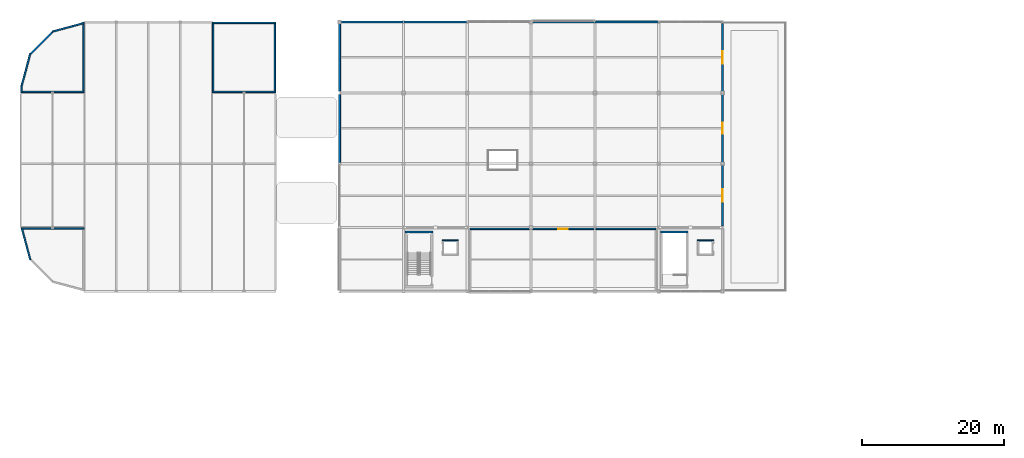
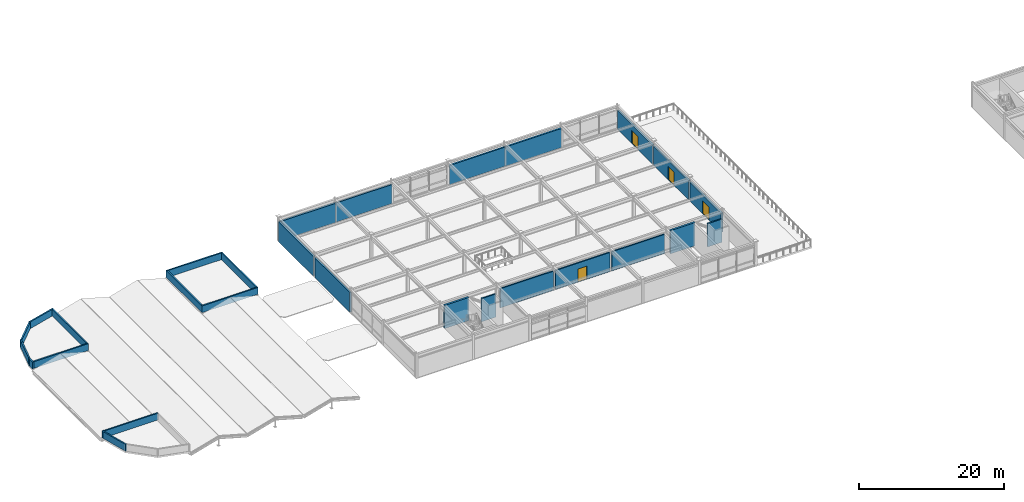
# One storey, part 30 of 40: 28 walls, 4 doors, 4 openings.
"""IFC4 building model written with IfcOpenShell, lengths in metres."""

from ifc_helpers import new_model, si_unit, direction, frame, frame_2d, origin, place, context, subcontext, project, spatial, rectangle, extrude, material, layer, layer_set, type_object, element, fill, save


model = new_model("IFC4")

# Units and contexts
model_context = context("Model", 3, precision=1e-05, world=origin(), true_north=direction((0.0, 1.0)))
body_context = subcontext(model_context, "Body", "Model", "MODEL_VIEW")
ifc_project = project(units=[si_unit("LENGTHUNIT", "METRE"), si_unit("AREAUNIT", "SQUARE_METRE"), si_unit("VOLUMEUNIT", "CUBIC_METRE"), si_unit("PLANEANGLEUNIT", "RADIAN"), si_unit("MASSUNIT", "GRAM", prefix="KILO")], contexts=[model_context])

# Site, building, storey
site_placement = place(None, origin())
site = spatial("IfcSite", under=ifc_project, at=site_placement, CompositionType="ELEMENT")
building_placement = place(site_placement, origin())
building = spatial("IfcBuilding", under=site, at=building_placement, Name="Suzunagisa Mobility Hub", CompositionType="ELEMENT")
storey_placement = place(building_placement, frame((0.0, 0.0, 21.89990234375)))
storey = spatial("IfcBuildingStorey", under=building, at=storey_placement, Name="L05", CompositionType="ELEMENT", Elevation=21.89990234375)

# Walls
ifc_material_1 = material(Name="Porcelain-Faced Insulated Concrete C30/37 Wall", Category="concrete")
ifc_layer_1 = layer(ifc_material_1, 0.260009765625)
ifc_layer_set_1 = layer_set([ifc_layer_1], Name="Porcelain-Faced Insulated Concrete C30/37 Wall")
wall_type_1 = type_object("IfcWallType", Name="Exterior Wall EW-03 260mm", PredefinedType="SOLIDWALL", material=ifc_layer_set_1)
wall_1_placement = place(storey_placement, frame((80.99560546875, 118.0, 0.0), z_axis=(0.0, 0.0, 1.0), x_axis=(-1.0, 0.0, 0.0)))
element("IfcWall", 1, at=wall_1_placement, inside=storey, type_object=wall_type_1, Name="L05 Exterior Facade Wall EW-250", PredefinedType="SOLIDWALL", context=body_context, shape_type="SweptSolid", body=[
    extrude(rectangle(XDim=8.820556640625, YDim=0.260009765625, at=frame_2d((4.41015625, 0.0))), origin(), (0.0, 0.0, 1.0), 3.22021484375),
])
wall_2_placement = place(storey_placement, frame((45.0, 107.804931640625, 0.0), z_axis=(0.0, 0.0, 1.0), x_axis=(0.0, -1.0, 0.0)))
element("IfcWall", 2, at=wall_2_placement, inside=storey, type_object=wall_type_1, Name="L05 Exterior Facade Wall EW-254", PredefinedType="SOLIDWALL", context=body_context, shape_type="SweptSolid", body=[
    extrude(rectangle(XDim=9.6298828125, YDim=0.260009765625, at=frame_2d((4.81494140625, 0.0))), origin(), (0.0, 0.0, 1.0), 3.33203125),
])
ifc_material_2 = material(Name="Lightweight Insulated Autoclaved Concrete C30/37 Wall", Category="concrete")
ifc_layer_2 = layer(ifc_material_2, 0.239990234375)
ifc_layer_set_2 = layer_set([ifc_layer_2], Name="Lightweight Insulated Autoclaved Concrete C30/37 Wall")
wall_type_2 = type_object("IfcWallType", Name="Exterior Wall EW-04 240mm", PredefinedType="SOLIDWALL", material=ifc_layer_set_2)
wall_3_placement = place(storey_placement, frame((62.99560546875, 118.0, 0.0), z_axis=(0.0, 0.0, 1.0), x_axis=(-1.0, 0.0, 0.0)))
element("IfcWall", 3, at=wall_3_placement, inside=storey, type_object=wall_type_2, Name="L05 Exterior Facade Wall EW-251", PredefinedType="SOLIDWALL", context=body_context, shape_type="SweptSolid", body=[
    extrude(rectangle(XDim=8.9912109375, YDim=0.239990234375, at=frame_2d((4.49560546875, 0.0))), origin(), (0.0, 0.0, 1.0), 3.22021484375),
])
ifc_material_3 = material(Name="Concrete C30/37", Category="concrete")
ifc_layer_3 = layer(ifc_material_3, 0.219970703125)
ifc_layer_set_3 = layer_set([ifc_layer_3], Name="Concrete C30/37")
wall_type_3 = type_object("IfcWallType", Name="Exterior Wall EW-05 220mm", PredefinedType="PARAPET", material=ifc_layer_set_3)
wall_4_placement = place(storey_placement, frame((1.35986328125, 84.46630859375, 0.18017578125), z_axis=(0.0, 0.0, 1.0), x_axis=(-0.258826891896, 0.965923723713, 0.0)))
element("IfcWall", 4, at=wall_4_placement, inside=storey, type_object=wall_type_3, Name="L05 Roof Setback Parapet PR-489", PredefinedType="PARAPET", context=body_context, shape_type="SweptSolid", body=[
    extrude(rectangle(XDim=4.65869140625, YDim=0.219970703125, at=frame_2d((2.329345703125, 0.0))), origin(), (0.0, 0.0, 1.0), 1.139892578125),
])
wall_5_placement = place(storey_placement, frame((0.072509765625, 88.860107421875, 0.18017578125), z_axis=(0.0, 0.0, 1.0), x_axis=(1.0, 0.0, 0.0)))
element("IfcWall", 5, at=wall_5_placement, inside=storey, type_object=wall_type_3, Name="L05 Roof Setback Parapet PR-490", PredefinedType="PARAPET", context=body_context, shape_type="SweptSolid", body=[
    extrude(rectangle(XDim=8.8974609375, YDim=0.219970703125, at=frame_2d((4.44873046875, 0.0))), origin(), (0.0, 0.0, 1.0), 1.139892578125),
])
wall_6_placement = place(storey_placement, frame((0.111572265625, 108.875244140625, 0.18017578125), z_axis=(0.0, 0.0, 1.0), x_axis=(0.258831394107, 0.965922517299, 0.0)))
element("IfcWall", 6, at=wall_6_placement, inside=storey, type_object=wall_type_3, Name="L05 Roof Setback Parapet PR-492", PredefinedType="PARAPET", context=body_context, shape_type="SweptSolid", body=[
    extrude(rectangle(XDim=4.82275390625, YDim=0.219970703125, at=frame_2d((2.411376953125, 0.0))), origin(), (0.0, 0.0, 1.0), 1.139892578125),
])
wall_7_placement = place(storey_placement, frame((1.25341796875, 113.349609375, 0.18017578125), z_axis=(0.0, 0.0, 1.0), x_axis=(0.707106781187, 0.707106781187, 0.0)))
element("IfcWall", 7, at=wall_7_placement, inside=storey, type_object=wall_type_3, Name="L05 Roof Setback Parapet PR-493", PredefinedType="PARAPET", context=body_context, shape_type="SweptSolid", body=[
    extrude(rectangle(XDim=4.803955078125, YDim=0.219970703125, at=frame_2d((2.40185546875, 0.0))), origin(), (0.0, 0.0, 1.0), 1.139892578125),
])
wall_8_placement = place(storey_placement, frame((4.46630859375, 116.64013671875, 0.18017578125), z_axis=(0.0, 0.0, 1.0), x_axis=(0.965923723713, 0.258826891896, 0.0)))
element("IfcWall", 8, at=wall_8_placement, inside=storey, type_object=wall_type_3, Name="L05 Roof Setback Parapet PR-494", PredefinedType="PARAPET", context=body_context, shape_type="SweptSolid", body=[
    extrude(rectangle(XDim=4.65869140625, YDim=0.219970703125, at=frame_2d((2.329345703125, 0.0))), origin(), (0.0, 0.0, 1.0), 1.139892578125),
])
wall_9_placement = place(storey_placement, frame((8.860107421875, 117.927490234375, 0.18017578125), z_axis=(0.0, 0.0, 1.0), x_axis=(0.0, -1.0, 0.0)))
element("IfcWall", 9, at=wall_9_placement, inside=storey, type_object=wall_type_3, Name="L05 Roof Setback Parapet PR-495", PredefinedType="PARAPET", context=body_context, shape_type="SweptSolid", body=[
    extrude(rectangle(XDim=9.8974609375, YDim=0.219970703125, at=frame_2d((4.94873046875, 0.0))), origin(), (0.0, 0.0, 1.0), 1.139892578125),
])
wall_10_placement = place(storey_placement, frame((8.969970703125, 108.139892578125, 0.18017578125), z_axis=(0.0, 0.0, 1.0), x_axis=(-1.0, 0.0, 0.0)))
element("IfcWall", 10, at=wall_10_placement, inside=storey, type_object=wall_type_3, Name="L05 Roof Setback Parapet PR-496", PredefinedType="PARAPET", context=body_context, shape_type="SweptSolid", body=[
    extrude(rectangle(XDim=8.93994140625, YDim=0.219970703125, at=frame_2d((4.469970703125, 0.0))), origin(), (0.0, 0.0, 1.0), 1.139892578125),
])
wall_11_placement = place(storey_placement, frame((0.139892578125, 108.030029296875, 0.18017578125), z_axis=(0.0, 0.0, 1.0), x_axis=(0.0, 1.0, 0.0)))
element("IfcWall", 11, at=wall_11_placement, inside=storey, type_object=wall_type_3, Name="L05 Roof Setback Parapet PR-497", PredefinedType="PARAPET", context=body_context, shape_type="SweptSolid", body=[
    extrude(rectangle(XDim=1.0615234375, YDim=0.219970703125, at=frame_2d((0.53076171875, 0.0))), origin(), (0.0, 0.0, 1.0), 1.139892578125),
])
wall_12_placement = place(storey_placement, frame((35.860107421875, 117.969970703125, 0.18017578125), z_axis=(0.0, 0.0, 1.0), x_axis=(0.0, -1.0, 0.0)))
element("IfcWall", 12, at=wall_12_placement, inside=storey, type_object=wall_type_3, Name="L05 Roof Setback Parapet PR-498", PredefinedType="PARAPET", context=body_context, shape_type="SweptSolid", body=[
    extrude(rectangle(XDim=9.93994140625, YDim=0.219970703125, at=frame_2d((4.969970703125, 0.0))), origin(), (0.0, 0.0, 1.0), 1.139892578125),
])
wall_13_placement = place(storey_placement, frame((35.969970703125, 108.139892578125, 0.18017578125), z_axis=(0.0, 0.0, 1.0), x_axis=(-1.0, 0.0, 0.0)))
element("IfcWall", 13, at=wall_13_placement, inside=storey, type_object=wall_type_3, Name="L05 Roof Setback Parapet PR-499", PredefinedType="PARAPET", context=body_context, shape_type="SweptSolid", body=[
    extrude(rectangle(XDim=8.93994140625, YDim=0.219970703125, at=frame_2d((4.469970703125, 0.0))), origin(), (0.0, 0.0, 1.0), 1.139892578125),
])
wall_14_placement = place(storey_placement, frame((27.139892578125, 108.030029296875, 0.18017578125), z_axis=(0.0, 0.0, 1.0), x_axis=(0.0, 1.0, 0.0)))
element("IfcWall", 14, at=wall_14_placement, inside=storey, type_object=wall_type_3, Name="L05 Roof Setback Parapet PR-500", PredefinedType="PARAPET", context=body_context, shape_type="SweptSolid", body=[
    extrude(rectangle(XDim=9.93994140625, YDim=0.219970703125, at=frame_2d((4.969970703125, 0.0))), origin(), (0.0, 0.0, 1.0), 1.139892578125),
])
wall_15_placement = place(storey_placement, frame((27.030029296875, 117.860107421875, 0.18017578125), z_axis=(0.0, 0.0, 1.0), x_axis=(1.0, 0.0, 0.0)))
element("IfcWall", 15, at=wall_15_placement, inside=storey, type_object=wall_type_3, Name="L05 Roof Setback Parapet PR-501", PredefinedType="PARAPET", context=body_context, shape_type="SweptSolid", body=[
    extrude(rectangle(XDim=8.93994140625, YDim=0.219970703125, at=frame_2d((4.469970703125, 0.0))), origin(), (0.0, 0.0, 1.0), 1.139892578125),
])

# Wall, opening, door
ifc_layer_4 = layer(ifc_material_1, 0.280029296875)
ifc_layer_set_4 = layer_set([ifc_layer_4], Name="Porcelain-Faced Insulated Concrete C30/37 Wall")
wall_type_4 = type_object("IfcWallType", Name="Exterior Wall EW-08 280mm", PredefinedType="SOLIDWALL", material=ifc_layer_set_4)
wall_16_placement = place(storey_placement, frame((99.0, 89.195068359375, 0.0), z_axis=(0.0, 0.0, 1.0), x_axis=(0.0, 1.0, 0.0)))
wall_16 = element("IfcWall", 16, at=wall_16_placement, inside=storey, type_object=wall_type_4, Name="L05 Terrace Access Wall 246", PredefinedType="SOLIDWALL", context=body_context, shape_type="SweptSolid", body=[
    extrude(rectangle(XDim=8.6298828125, YDim=0.280029296875, at=frame_2d((4.31494140625, 0.0))), origin(), (0.0, 0.0, 1.0), 3.22021484375),
])
opening_1_placement = place(wall_16_placement, frame((5.215087890625, 0.0, 0.0), z_axis=(0.0, 0.0, 1.0), x_axis=(-1.0, 0.0, 0.0)))
opening_1 = element("IfcOpeningElement", 17, at=opening_1_placement, cuts=wall_16, Name="Opening ED-12", PredefinedType="OPENING", context=body_context, shape_type="SweptSolid", body=[
    extrude(rectangle(XDim=1.800048828125, YDim=2.199951171875, at=frame_2d((0.89990234375, 1.10009765625))), frame((0.0, 0.15087890625, 0.0), z_axis=(0.0, -1.0, 0.0), x_axis=(1.0, 0.0, 0.0)), (0.0, 0.0, 1.0), 0.302001953125),
])
ifc_material_4 = material(Name="Anodized Aluminum and Tempered Safety Glass", Category="aluminium")
door_type_1 = type_object("IfcDoorType", Name="Exterior Glazed Aluminum Door ED-12 1800x2200", OperationType="DOUBLE_DOOR_SINGLE_SWING", PredefinedType="DOOR", material=ifc_material_4)
door_1_placement = place(opening_1_placement, origin())
door_1 = element("IfcDoor", 18, at=door_1_placement, inside=storey, type_object=door_type_1, Name="L05 Roof Garden Terrace Access Door TD-24", OperationType="SINGLE_SWING_LEFT", OverallHeight=2.199951171875, OverallWidth=1.800048828125, PredefinedType="DOOR", context=body_context, shape_type="SweptSolid", body=[
    extrude(rectangle(XDim=1.800048828125, YDim=2.199951171875, at=frame_2d((0.89990234375, 1.10009765625))), frame((0.0, 0.02490234375, 0.0), z_axis=(0.0, -1.0, 0.0), x_axis=(1.0, 0.0, 0.0)), (0.0, 0.0, 1.0), 0.050048828125),
])
fill(opening_1, door_1)

wall_17_placement = place(storey_placement, frame((99.0, 98.175048828125, 0.0), z_axis=(0.0, 0.0, 1.0), x_axis=(0.0, 1.0, 0.0)))
wall_17 = element("IfcWall", 19, at=wall_17_placement, inside=storey, type_object=wall_type_4, Name="L05 Terrace Access Wall 247", PredefinedType="SOLIDWALL", context=body_context, shape_type="SweptSolid", body=[
    extrude(rectangle(XDim=9.64990234375, YDim=0.280029296875, at=frame_2d((4.824951171875, 0.0))), origin(), (0.0, 0.0, 1.0), 3.22021484375),
])
opening_2_placement = place(wall_17_placement, frame((5.625, 0.0, 0.0), z_axis=(0.0, 0.0, 1.0), x_axis=(-1.0, 0.0, 0.0)))
opening_2 = element("IfcOpeningElement", 20, at=opening_2_placement, cuts=wall_17, Name="Opening ED-03", PredefinedType="OPENING", context=body_context, shape_type="SweptSolid", body=[
    extrude(rectangle(XDim=1.60009765625, YDim=2.199951171875, at=frame_2d((0.800048828125, 1.10009765625))), frame((0.0, 0.15087890625, 0.0), z_axis=(0.0, -1.0, 0.0), x_axis=(1.0, 0.0, 0.0)), (0.0, 0.0, 1.0), 0.302001953125),
])
door_type_2 = type_object("IfcDoorType", Name="Exterior Glazed Aluminum Door ED-03 1600x2200", OperationType="DOUBLE_DOOR_SINGLE_SWING", PredefinedType="DOOR", material=ifc_material_4)
door_2_placement = place(opening_2_placement, origin())
door_2 = element("IfcDoor", 21, at=door_2_placement, inside=storey, type_object=door_type_2, Name="L05 Roof Garden Terrace Access Door TD-25", OperationType="SINGLE_SWING_LEFT", OverallHeight=2.199951171875, OverallWidth=1.60009765625, PredefinedType="DOOR", context=body_context, shape_type="SweptSolid", body=[
    extrude(rectangle(XDim=1.60009765625, YDim=2.199951171875, at=frame_2d((0.800048828125, 1.10009765625))), frame((0.0, 0.02490234375, 0.0), z_axis=(0.0, -1.0, 0.0), x_axis=(1.0, 0.0, 0.0)), (0.0, 0.0, 1.0), 0.050048828125),
])
fill(opening_2, door_2)

wall_18_placement = place(storey_placement, frame((99.0, 108.175048828125, 0.0), z_axis=(0.0, 0.0, 1.0), x_axis=(0.0, 1.0, 0.0)))
wall_18 = element("IfcWall", 22, at=wall_18_placement, inside=storey, type_object=wall_type_4, Name="L05 Terrace Access Wall 248", PredefinedType="SOLIDWALL", context=body_context, shape_type="SweptSolid", body=[
    extrude(rectangle(XDim=9.6298828125, YDim=0.280029296875, at=frame_2d((4.81494140625, 0.0))), origin(), (0.0, 0.0, 1.0), 3.22021484375),
])
opening_3_placement = place(wall_18_placement, frame((5.715087890625, 0.0, 0.0), z_axis=(0.0, 0.0, 1.0), x_axis=(-1.0, 0.0, 0.0)))
opening_3 = element("IfcOpeningElement", 23, at=opening_3_placement, cuts=wall_18, Name="Opening ED-12", PredefinedType="OPENING", context=body_context, shape_type="SweptSolid", body=[
    extrude(rectangle(XDim=1.800048828125, YDim=2.199951171875, at=frame_2d((0.89990234375, 1.10009765625))), frame((0.0, 0.15087890625, 0.0), z_axis=(0.0, -1.0, 0.0), x_axis=(1.0, 0.0, 0.0)), (0.0, 0.0, 1.0), 0.302001953125),
])
door_3_placement = place(opening_3_placement, origin())
door_3 = element("IfcDoor", 24, at=door_3_placement, inside=storey, type_object=door_type_1, Name="L05 Roof Garden Terrace Access Door TD-26", OperationType="SINGLE_SWING_LEFT", OverallHeight=2.199951171875, OverallWidth=1.800048828125, PredefinedType="DOOR", context=body_context, shape_type="SweptSolid", body=[
    extrude(rectangle(XDim=1.800048828125, YDim=2.199951171875, at=frame_2d((0.89990234375, 1.10009765625))), frame((0.0, 0.02490234375, 0.0), z_axis=(0.0, -1.0, 0.0), x_axis=(1.0, 0.0, 0.0)), (0.0, 0.0, 1.0), 0.050048828125),
])
fill(opening_3, door_3)

# Walls
wall_19_placement = place(storey_placement, frame((89.99560546875, 118.0, 0.0), z_axis=(0.0, 0.0, 1.0), x_axis=(-1.0, 0.0, 0.0)))
element("IfcWall", 25, at=wall_19_placement, inside=storey, type_object=wall_type_4, Name="L05 Exterior Facade Wall EW-249", PredefinedType="SOLIDWALL", context=body_context, shape_type="SweptSolid", body=[
    extrude(rectangle(XDim=8.9912109375, YDim=0.280029296875, at=frame_2d((4.49560546875, 0.0))), origin(), (0.0, 0.0, 1.0), 3.22021484375),
])
wall_20_placement = place(storey_placement, frame((45.0, 117.824951171875, 0.0), z_axis=(0.0, 0.0, 1.0), x_axis=(0.0, -1.0, 0.0)))
element("IfcWall", 26, at=wall_20_placement, inside=storey, type_object=wall_type_4, Name="L05 Exterior Facade Wall EW-253", PredefinedType="SOLIDWALL", context=body_context, shape_type="SweptSolid", body=[
    extrude(rectangle(XDim=9.6298828125, YDim=0.280029296875, at=frame_2d((4.81494140625, 0.0))), origin(), (0.0, 0.0, 1.0), 3.33203125),
])
ifc_material_5 = material(Name="Insulated Precast Concrete C35/45 Panel", Category="concrete")
ifc_layer_5 = layer(ifc_material_5, 0.300048828125)
ifc_layer_set_5 = layer_set([ifc_layer_5], Name="Insulated Precast Concrete C35/45 Panel")
wall_type_5 = type_object("IfcWallType", Name="Exterior Wall EW-09 300mm", PredefinedType="SOLIDWALL", material=ifc_layer_set_5)
wall_21_placement = place(storey_placement, frame((53.99560546875, 118.0, 0.0), z_axis=(0.0, 0.0, 1.0), x_axis=(-1.0, 0.0, 0.0)))
element("IfcWall", 27, at=wall_21_placement, inside=storey, type_object=wall_type_5, Name="L05 Exterior Facade Wall EW-252", PredefinedType="SOLIDWALL", context=body_context, shape_type="SweptSolid", body=[
    extrude(rectangle(XDim=8.820556640625, YDim=0.300048828125, at=frame_2d((4.41015625, 0.0))), origin(), (0.0, 0.0, 1.0), 3.22021484375),
])
ifc_material_6 = material(Name="Concrete C35/45", Category="concrete")
ifc_layer_6 = layer(ifc_material_6, 0.31005859375)
ifc_layer_set_6 = layer_set([ifc_layer_6], Name="Concrete C35/45")
wall_type_6 = type_object("IfcWallType", Name="Interior Wall IW-01 310mm", PredefinedType="SHEAR", material=ifc_layer_set_6)
for number, where, z_axis, x_axis, name in (
    (28, (54.25, 88.35498046875, 0.0), (0.0, 0.0, 1.0), (1.0, 0.0, 0.0), "L05 Core C3 Shear Wall SW-230"),
    (29, (90.25, 88.35498046875, 0.0), (0.0, 0.0, 1.0), (1.0, 0.0, 0.0), "L05 Core C4 Shear Wall SW-294"),
):
    element("IfcWall", number, at=place(storey_placement, frame(where, z_axis=z_axis, x_axis=x_axis)), inside=storey, type_object=wall_type_6, Name=name, PredefinedType="SHEAR", context=body_context, shape_type="SweptSolid", body=[
        extrude(rectangle(XDim=3.89990234375, YDim=0.31005859375, at=frame_2d((1.949951171875, 0.0))), origin(), (0.0, 0.0, 1.0), 3.920166015625),
    ])
ifc_material_7 = material(Name="Fire-Rated Gypsum Stud Partition", Category="gypsum")
ifc_layer_7 = layer(ifc_material_7, 0.2099609375)
ifc_layer_set_7 = layer_set([ifc_layer_7], Name="Fire-Rated Gypsum Stud Partition")
wall_type_7 = type_object("IfcWallType", Name="Interior Wall IW-03 210mm", PredefinedType="PARTITIONING", material=ifc_layer_set_7)
for number, where, z_axis, x_axis, name in (
    (30, (59.469970703125, 87.175048828125, 0.0), (0.0, 0.0, 1.0), (1.0, 0.0, 0.0), "L05 Lift LF-04 Shaft North Wall"),
    (31, (95.469970703125, 87.175048828125, 0.0), (0.0, 0.0, 1.0), (1.0, 0.0, 0.0), "L05 Lift LF-07 Shaft North Wall"),
):
    element("IfcWall", number, at=place(storey_placement, frame(where, z_axis=z_axis, x_axis=x_axis)), inside=storey, type_object=wall_type_7, Name=name, PredefinedType="PARTITIONING", context=body_context, shape_type="SweptSolid", body=[
        extrude(rectangle(XDim=2.260009765625, YDim=0.2099609375, at=frame_2d((1.1298828125, 0.0))), origin(), (0.0, 0.0, 1.0), 3.920166015625),
    ])
wall_22_placement = place(storey_placement, frame((63.39990234375, 88.800048828125, 0.0), z_axis=(0.0, 0.0, 1.0), x_axis=(1.0, 0.0, 0.0)))
element("IfcWall", 32, at=wall_22_placement, inside=storey, type_object=wall_type_7, Name="L05 PV Inverter and Battery Buffer Switchroom L05 Partition PW-878", PredefinedType="PARTITIONING", context=body_context, shape_type="SweptSolid", body=[
    extrude(rectangle(XDim=8.425048828125, YDim=0.2099609375, at=frame_2d((4.21240234375, 0.0))), origin(), (0.0, 0.0, 1.0), 3.22021484375),
])

# Wall, opening, door
wall_23_placement = place(storey_placement, frame((72.175048828125, 88.800048828125, 0.0), z_axis=(0.0, 0.0, 1.0), x_axis=(1.0, 0.0, 0.0)))
wall_23 = element("IfcWall", 33, at=wall_23_placement, inside=storey, type_object=wall_type_7, Name="L05 PV Inverter and Battery Buffer Switchroom L05 Partition PW-879", PredefinedType="PARTITIONING", context=body_context, shape_type="SweptSolid", body=[
    extrude(rectangle(XDim=8.675048828125, YDim=0.2099609375, at=frame_2d((4.33740234375, 0.0))), origin(), (0.0, 0.0, 1.0), 3.22021484375),
])
opening_4_placement = place(wall_23_placement, frame((3.625, 0.0, 0.0)))
opening_4 = element("IfcOpeningElement", 34, at=opening_4_placement, cuts=wall_23, Name="Opening DR-21", PredefinedType="OPENING", context=body_context, shape_type="SweptSolid", body=[
    extrude(rectangle(XDim=1.39990234375, YDim=2.199951171875, at=frame_2d((0.699951171875, 1.10009765625))), frame((0.0, 0.115966796875, 0.0), z_axis=(0.0, -1.0, 0.0), x_axis=(1.0, 0.0, 0.0)), (0.0, 0.0, 1.0), 0.23193359375),
])
ifc_material_8 = material(Name="Plant Leaf-and-Half Steel Fire Door", Category="steel")
door_type_3 = type_object("IfcDoorType", Name="Interior Door DR-21 1400x2200", OperationType="SINGLE_SWING_LEFT", PredefinedType="DOOR", material=ifc_material_8)
door_4_placement = place(opening_4_placement, origin())
door_4 = element("IfcDoor", 35, at=door_4_placement, inside=storey, type_object=door_type_3, Name="L05 PV Inverter and Battery Buffer Switchroom L05 Door DR-219", OperationType="SINGLE_SWING_RIGHT", OverallHeight=2.199951171875, OverallWidth=1.39990234375, PredefinedType="DOOR", context=body_context, shape_type="SweptSolid", body=[
    extrude(rectangle(XDim=1.39990234375, YDim=2.199951171875, at=frame_2d((0.699951171875, 1.10009765625))), frame((0.0, 0.02490234375, 0.0), z_axis=(0.0, -1.0, 0.0), x_axis=(1.0, 0.0, 0.0)), (0.0, 0.0, 1.0), 0.050048828125),
])
fill(opening_4, door_4)

# Wall
wall_24_placement = place(storey_placement, frame((81.14990234375, 88.800048828125, 0.0), z_axis=(0.0, 0.0, 1.0), x_axis=(1.0, 0.0, 0.0)))
element("IfcWall", 36, at=wall_24_placement, inside=storey, type_object=wall_type_7, Name="L05 PV Inverter and Battery Buffer Switchroom L05 Partition PW-880", PredefinedType="PARTITIONING", context=body_context, shape_type="SweptSolid", body=[
    extrude(rectangle(XDim=8.4501953125, YDim=0.2099609375, at=frame_2d((4.22509765625, 0.0))), origin(), (0.0, 0.0, 1.0), 3.22021484375),
])

save(model, "model.ifc")
